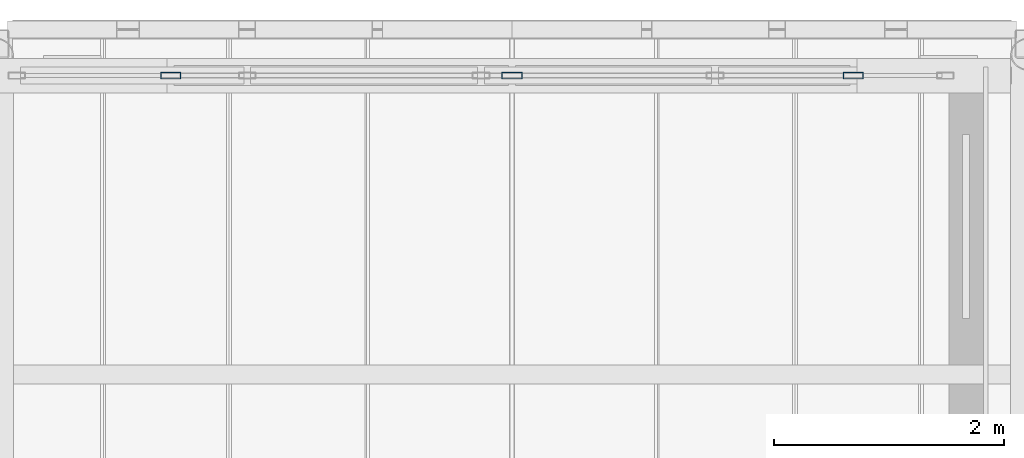
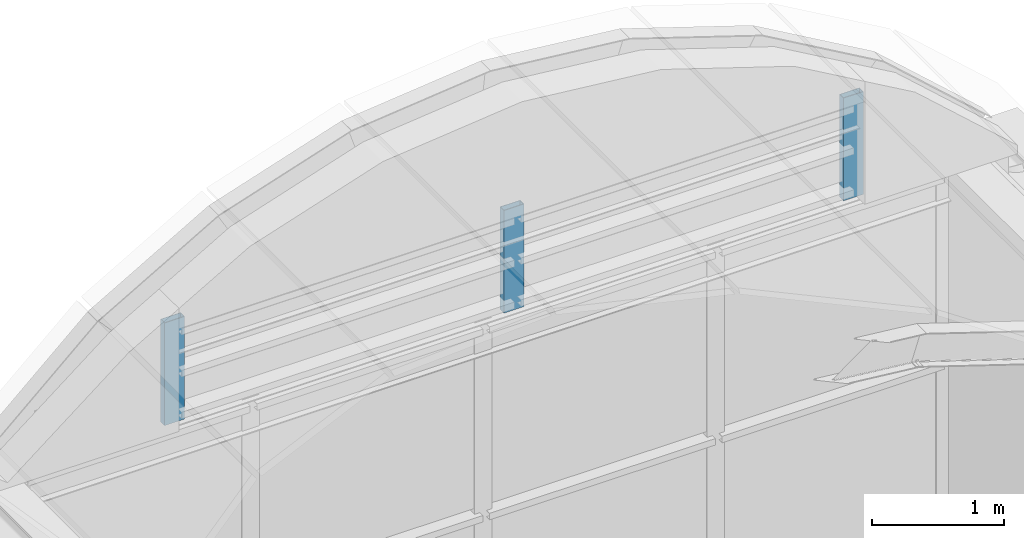
# One storey, part 116 of 144: 3 members, 1 element without a shape of its own.
"""IFC4 building model written with IfcOpenShell, lengths in metres."""

from ifc_helpers import new_model, si_unit, direction, frame, origin, origin_2d, place, context, subcontext, project, spatial, hollow_rectangle, extrude, material, layer, layer_set, material_profile, profile_set, type_object, element, aggregate, save


model = new_model("IFC4")

# Units and contexts
model_context = context("Model", 3, precision=1e-05, world=origin(), true_north=direction((0.0, 1.0)))
body_context = subcontext(model_context, "Body", "Model", "MODEL_VIEW")
ifc_project = project(units=[si_unit("LENGTHUNIT", "METRE"), si_unit("AREAUNIT", "SQUARE_METRE"), si_unit("VOLUMEUNIT", "CUBIC_METRE"), si_unit("PLANEANGLEUNIT", "RADIAN"), si_unit("MASSUNIT", "GRAM", prefix="KILO")], contexts=[model_context])

# Site, building, storey
site_placement = place(None, origin())
site = spatial("IfcSite", under=ifc_project, at=site_placement, CompositionType="ELEMENT")
building_placement = place(site_placement, origin())
building = spatial("IfcBuilding", under=site, at=building_placement, Name="Shorebreak Coast Museum", CompositionType="ELEMENT")
storey_placement = place(building_placement, frame((0.0, 0.0, 36.0)))
storey = spatial("IfcBuildingStorey", under=building, at=storey_placement, Name="L06", CompositionType="ELEMENT", Elevation=36.0)

# Curtain wall, members
ifc_material_1 = material(Name="Aluminium", Category="aluminium")
ifc_layer = layer(ifc_material_1, 0.175048828125)
ifc_layer_set = layer_set([ifc_layer], Name="Aluminium")
curtain_wall_type = type_object("IfcCurtainWallType", Name="Gable curtain wall", PredefinedType="NOTDEFINED", material=ifc_layer_set)
curtain_wall_placement = place(storey_placement, origin())
curtain_wall = element("IfcCurtainWall", 1, at=curtain_wall_placement, inside=storey, type_object=curtain_wall_type, Name="Vault arch glazing V7", PredefinedType="NOTDEFINED")
ifc_material_2 = material(Name="Aluminium", Category="aluminium")
ifc_material_profile = material_profile(ifc_material_2, hollow_rectangle(XDim=0.06005859375, YDim=0.175048828125, WallThickness=0.00390625, at=origin_2d()), Name="AL 175x60 RHS")
ifc_profile_set = profile_set([ifc_material_profile], Name="Aluminium")
member_type = type_object("IfcMemberType", Name="Gable mullion 60 x 175", PredefinedType="MULLION", material=ifc_profile_set)
member_1_placement = place(storey_placement, frame((109.530029296875, 134.60009765625, 7.800048828125), z_axis=(0.0, 0.0, 1.0), x_axis=(0.0, 1.0, 0.0)))
member_1 = element("IfcMember", 2, at=member_1_placement, type_object=member_type, Name="CW9 mullion 1", PredefinedType="MULLION", context=body_context, shape_type="SweptSolid", body=[
    extrude(hollow_rectangle(XDim=0.06005859375, YDim=0.175048828125, WallThickness=0.00390625, at=origin_2d()), origin(), (0.0, 0.0, 1.0), 0.949951171875),
])
member_2_placement = place(storey_placement, frame((112.5, 134.60009765625, 7.800048828125), z_axis=(0.0, 0.0, 1.0), x_axis=(0.0, 1.0, 0.0)))
member_2 = element("IfcMember", 3, at=member_2_placement, type_object=member_type, Name="CW9 mullion 2", PredefinedType="MULLION", context=body_context, shape_type="SweptSolid", body=[
    extrude(hollow_rectangle(XDim=0.06005859375, YDim=0.175048828125, WallThickness=0.00390625, at=origin_2d()), origin(), (0.0, 0.0, 1.0), 0.949951171875),
])
member_3_placement = place(storey_placement, frame((115.469970703125, 134.60009765625, 7.800048828125), z_axis=(0.0, 0.0, 1.0), x_axis=(0.0, 1.0, 0.0)))
member_3 = element("IfcMember", 4, at=member_3_placement, type_object=member_type, Name="CW9 mullion 3", PredefinedType="MULLION", context=body_context, shape_type="SweptSolid", body=[
    extrude(hollow_rectangle(XDim=0.06005859375, YDim=0.175048828125, WallThickness=0.00390625, at=origin_2d()), origin(), (0.0, 0.0, 1.0), 0.949951171875),
])
aggregate(curtain_wall, [member_1, member_2, member_3])

save(model, "model.ifc")
